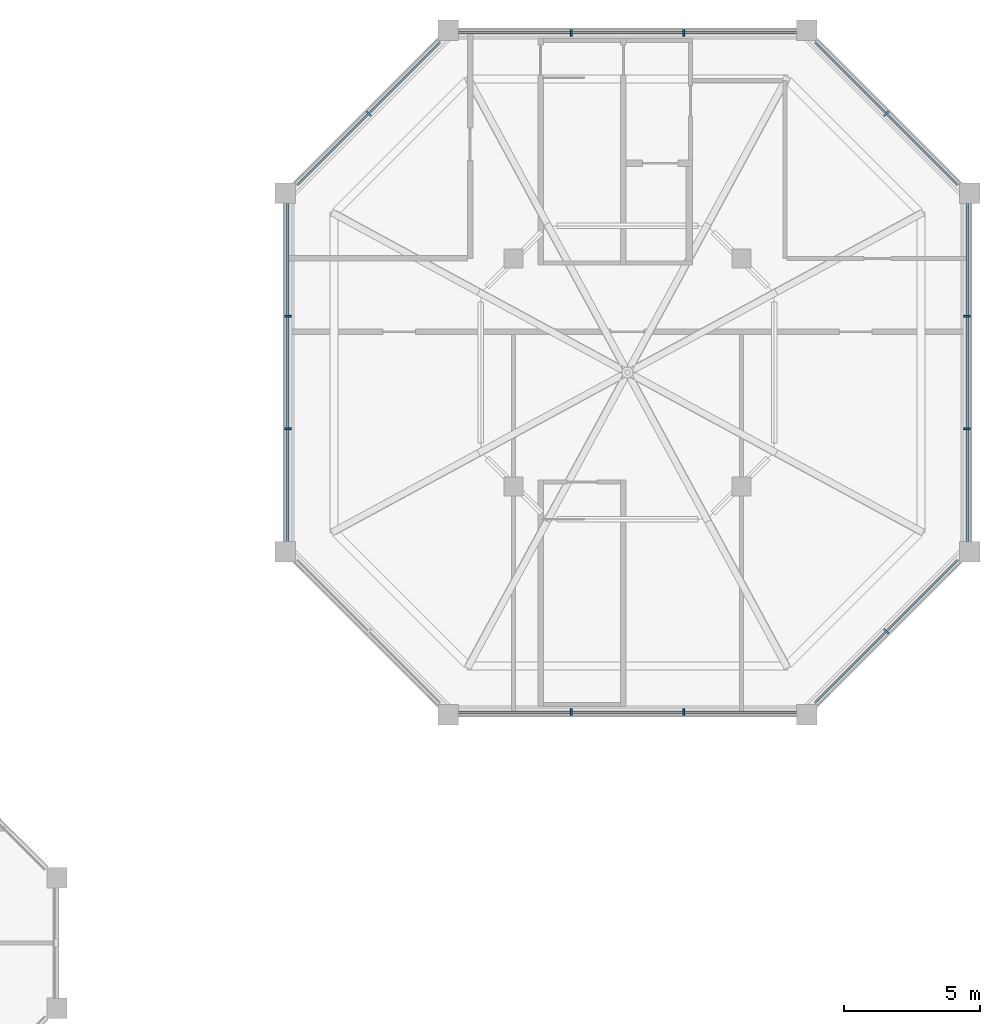
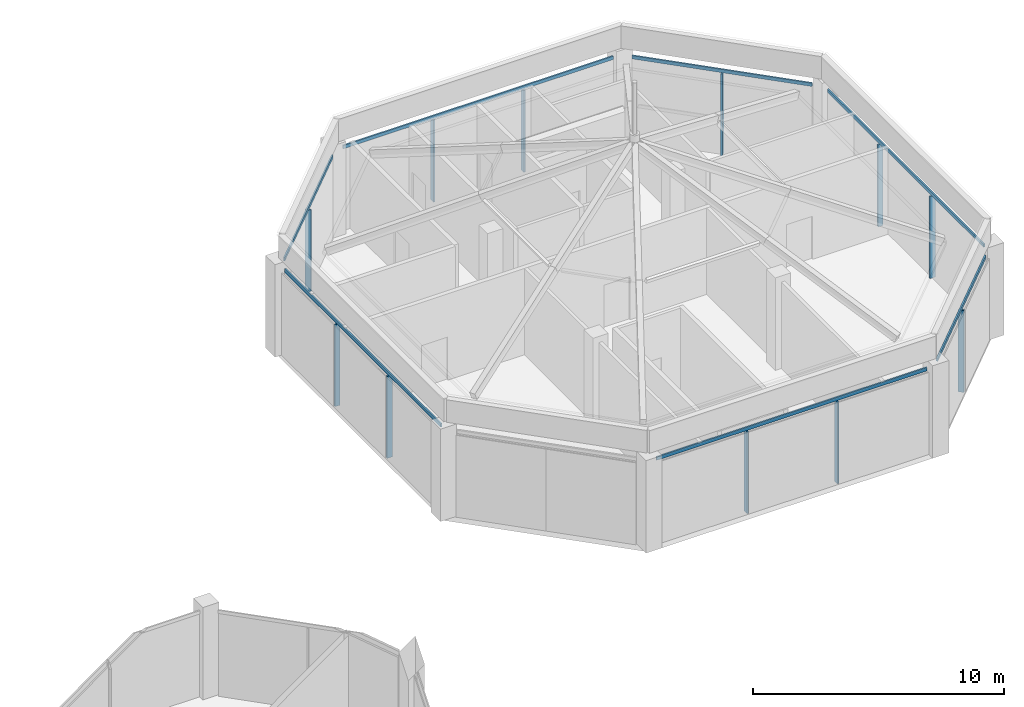
# One storey, part 3 of 9: 18 members, 7 elements without a shape of their own.
"""IFC4 building model written with IfcOpenShell, lengths in metres."""

import ifcopenshell
import ifcopenshell.guid

model = None  # the IFC model being written
_history = None  # IfcOwnerHistory: only IFC2X3 demands one
_inside = {}  # id of a spatial element -> (the spatial element, [elements in it])
_under = {}  # id of a project, library or spatial element -> (it, [spatial elements below it])
_declared = {}  # id of a project -> (the project, [libraries it declares])
_typed = {}  # id of a type object -> (the type object, [elements of that type])
_made_of = {}  # id of a material, layer set ... -> (it, [elements and type objects made of it])


def new_model(schema):
    """Start an empty IFC model of exactly this schema.

    Asked for "IFC4X3", IfcOpenShell would pick the latest addendum, in which some entities
    have other attributes; the version numbers below select the first issue.
    IFC2X3 requires an IfcOwnerHistory on every rooted entity: one is made here for all.
    """
    global model, _history
    if schema == "IFC4X3":
        model = ifcopenshell.file(schema_version=(4, 3, 0, 0))
    else:
        model = ifcopenshell.file(schema=schema)
    _inside.clear()
    _under.clear()
    _declared.clear()
    _typed.clear()
    _made_of.clear()
    _history = None
    if model.schema == "IFC2X3":
        org = make("IfcOrganization", Name="unknown")
        user = make(
            "IfcPersonAndOrganization",
            ThePerson=make("IfcPerson", FamilyName="unknown"),
            TheOrganization=org,
        )
        app = make(
            "IfcApplication",
            ApplicationDeveloper=org,
            Version="unknown",
            ApplicationFullName="unknown",
            ApplicationIdentifier="unknown",
        )
        _history = make(
            "IfcOwnerHistory",
            OwningUser=user,
            OwningApplication=app,
            ChangeAction="ADDED",
            CreationDate=0,
        )
    return model


def make(cls, **values):
    """One entity of the class cls with the attributes given. An attribute that is None is left unset."""
    return model.create_entity(
        cls, **{name: value for name, value in values.items() if value is not None}
    )


def rooted(cls, **values):
    """An entity with a GlobalId (a new one), such as an element, a storey or a relation."""
    return make(cls, GlobalId=ifcopenshell.guid.new(), OwnerHistory=_history, **values)


def si_unit(unit_type, name, prefix=None):
    """IfcSIUnit, for example si_unit("LENGTHUNIT", "METRE", prefix="MILLI")."""
    return make("IfcSIUnit", UnitType=unit_type, Prefix=prefix, Name=name)


def assignment(units):
    """IfcUnitAssignment: the units of a project."""
    return None if units is None else make("IfcUnitAssignment", Units=units)


def point(xyz):
    """IfcCartesianPoint."""
    return None if xyz is None else make("IfcCartesianPoint", Coordinates=xyz)


def direction(xyz):
    """IfcDirection."""
    return None if xyz is None else make("IfcDirection", DirectionRatios=xyz)


def frame(location, z_axis=None, x_axis=None):
    """IfcAxis2Placement3D, a coordinate frame: its origin and axes. An axis left out is left unset."""
    return make(
        "IfcAxis2Placement3D",
        Location=point(location),
        Axis=direction(z_axis),
        RefDirection=direction(x_axis),
    )


def frame_2d(location, x_axis=None):
    """IfcAxis2Placement2D, a coordinate frame in the plane: its origin and x axis."""
    return make(
        "IfcAxis2Placement2D", Location=point(location), RefDirection=direction(x_axis)
    )


def origin():
    """The frame at (0, 0, 0) with its axes left unset."""
    return frame((0.0, 0.0, 0.0))


def origin_2d():
    """The frame at (0, 0) in the plane with its x axis left unset."""
    return frame_2d((0.0, 0.0))


def place(relative_to, where):
    """IfcLocalPlacement: puts the frame where relative to a parent placement (None: the world)."""
    return make(
        "IfcLocalPlacement", PlacementRelTo=relative_to, RelativePlacement=where
    )


def context(
    kind, dimensions, precision=None, world=None, true_north=None, identifier=None
):
    """IfcGeometricRepresentationContext, for example the 3D "Model" context."""
    return make(
        "IfcGeometricRepresentationContext",
        ContextIdentifier=identifier,
        ContextType=kind,
        CoordinateSpaceDimension=dimensions,
        Precision=precision,
        WorldCoordinateSystem=world,
        TrueNorth=true_north,
    )


def subcontext(parent, identifier, kind, view, scale=None):
    """IfcGeometricRepresentationSubContext, for example "Body" below "Model"."""
    return make(
        "IfcGeometricRepresentationSubContext",
        ContextIdentifier=identifier,
        ContextType=kind,
        ParentContext=parent,
        TargetScale=scale,
        TargetView=view,
    )


def project(units=None, contexts=None):
    """IfcProject with its units and contexts."""
    return rooted(
        "IfcProject",
        Name="project",
        RepresentationContexts=contexts,
        UnitsInContext=assignment(units),
    )


def spatial(cls, under=None, at=None, **own):
    """A site, building, storey or space (cls), placed at a placement, below another one or the project."""
    s = rooted(cls, ObjectPlacement=at, **own)
    if under is not None:
        _under.setdefault(under.id(), (under, []))[1].append(s)
    return s


def profile(cls, at=None, kind="AREA", **sizes):
    """A parametric profile (cls). Its sizes go by their IFC names, for example OverallWidth=200.0."""
    return make(cls, ProfileType=kind, Position=at, **sizes)


def rectangle(**sizes):
    """IfcRectangleProfileDef."""
    return profile("IfcRectangleProfileDef", **sizes)


def extrude(swept, where, along, depth):
    """IfcExtrudedAreaSolid: the profile swept, set in the frame where, extruded along a direction by depth."""
    return make(
        "IfcExtrudedAreaSolid",
        SweptArea=swept,
        Position=where,
        ExtrudedDirection=direction(along),
        Depth=depth,
    )


def shape(context_of_items, identifier, shape_type, items):
    """IfcShapeRepresentation: the items that make up one representation, for example the "Body"."""
    return make(
        "IfcShapeRepresentation",
        ContextOfItems=context_of_items,
        RepresentationIdentifier=identifier,
        RepresentationType=shape_type,
        Items=items,
    )


def material(Name=None, Category=None):
    """IfcMaterial."""
    return make("IfcMaterial", Name=Name, Category=Category)


def layer(
    of_material, thickness, ventilated=None, Name=None, Category=None, Priority=None
):
    """IfcMaterialLayer: one layer of a wall or slab, of a material (None: an air gap)."""
    return make(
        "IfcMaterialLayer",
        Material=of_material,
        LayerThickness=thickness,
        IsVentilated=ventilated,
        Name=Name,
        Category=Category,
        Priority=Priority,
    )


def layer_set(layers, Name=None):
    """IfcMaterialLayerSet."""
    return make("IfcMaterialLayerSet", MaterialLayers=layers, LayerSetName=Name)


def material_profile(
    of_material, cross_section, Name=None, Category=None, Priority=None
):
    """IfcMaterialProfile: a cross section and its material."""
    return make(
        "IfcMaterialProfile",
        Name=Name,
        Material=of_material,
        Profile=cross_section,
        Priority=Priority,
        Category=Category,
    )


def profile_set(profiles, Name=None, composite=None):
    """IfcMaterialProfileSet."""
    return make(
        "IfcMaterialProfileSet",
        Name=Name,
        MaterialProfiles=profiles,
        CompositeProfile=composite,
    )


def made_of(thing, what):
    """Note that an element or type object is made of a material, layer set ...; save() writes the relation."""
    if what is not None:
        _made_of.setdefault(what.id(), (what, []))[1].append(thing)
    return thing


def type_object(cls, material=None, **own):
    """A type object (cls), such as IfcWallType, which elements share."""
    return made_of(rooted(cls, **own), material)


def element(
    cls,
    number,
    at=None,
    inside=None,
    cuts=None,
    type_object=None,
    material=None,
    context=None,
    identifier="Body",
    shape_type=None,
    held_by="IfcProductDefinitionShape",
    body=None,
    shapes=None,
    **own,
):
    """One element of the class cls, such as IfcWall. Its Tag is "e" and its number.

    at: its placement. inside: the storey or other place that contains it. cuts: it is an
    opening in that element (IfcRelVoidsElement). A single representation is given by context,
    identifier, shape_type and body (its items); several are given by shapes. held_by: the class
    of the entity that holds the representations. save() writes the other relations.
    """
    e = rooted(cls, Tag="e%d" % number, ObjectPlacement=at, **own)
    if body is not None:
        shapes = [shape(context, identifier, shape_type, body)]
    if shapes is not None:
        e.Representation = make(held_by, Representations=shapes)
    if inside is not None:
        _inside.setdefault(inside.id(), (inside, []))[1].append(e)
    if cuts is not None:
        rooted(
            "IfcRelVoidsElement", RelatingBuildingElement=cuts, RelatedOpeningElement=e
        )
    if type_object is not None:
        _typed.setdefault(type_object.id(), (type_object, []))[1].append(e)
    return made_of(e, material)


def aggregate(whole, parts):
    """IfcRelAggregates: a whole, such as a stair, and the parts it consists of."""
    return rooted("IfcRelAggregates", RelatingObject=whole, RelatedObjects=parts)


def save(model, path):
    """Write the relations noted so far, then the file.

    IfcRelAggregates (storeys below a building ...), IfcRelContainedInSpatialStructure (elements
    in a storey), IfcRelDefinesByType, IfcRelAssociatesMaterial and IfcRelDeclares: one each for
    every whole, place, type object, material and project.
    """
    for whole, parts in _under.values():
        aggregate(whole, parts)
    for where, things in _inside.values():
        rooted(
            "IfcRelContainedInSpatialStructure",
            RelatedElements=things,
            RelatingStructure=where,
        )
    for kind, things in _typed.values():
        rooted("IfcRelDefinesByType", RelatedObjects=things, RelatingType=kind)
    for what, things in _made_of.values():
        rooted("IfcRelAssociatesMaterial", RelatedObjects=things, RelatingMaterial=what)
    for by, libraries in _declared.values():
        rooted("IfcRelDeclares", RelatingContext=by, RelatedDefinitions=libraries)
    model.write(path)


model = new_model("IFC4")

# Units and contexts
model_context = context("Model", 3, precision=1e-05, world=origin(), true_north=direction((0.0, 1.0)))
body_context = subcontext(model_context, "Body", "Model", "MODEL_VIEW")
ifc_project = project(units=[si_unit("LENGTHUNIT", "METRE"), si_unit("AREAUNIT", "SQUARE_METRE"), si_unit("VOLUMEUNIT", "CUBIC_METRE"), si_unit("PLANEANGLEUNIT", "RADIAN"), si_unit("MASSUNIT", "GRAM", prefix="KILO")], contexts=[model_context])

# Site, building, storey
site_placement = place(None, origin())
site = spatial("IfcSite", under=ifc_project, at=site_placement, CompositionType="ELEMENT")
building_placement = place(site_placement, origin())
building = spatial("IfcBuilding", under=site, at=building_placement, Name="Kawkab Arch Medical Tower", CompositionType="ELEMENT")
storey_placement = place(building_placement, frame((0.0, 0.0, 350.199951171875)))
storey = spatial("IfcBuildingStorey", under=building, at=storey_placement, Name="L81", CompositionType="ELEMENT", Elevation=350.199951171875)

# Curtain wall, member
ifc_material_1 = material(Name="Bronze anodised aluminium curtain wall frame", Category="aluminium")
ifc_layer = layer(ifc_material_1, 0.159912109375)
ifc_layer_set = layer_set([ifc_layer], Name="Bronze anodised aluminium curtain wall frame")
curtain_wall_type = type_object("IfcCurtainWallType", Name="CW6 helipad lobby and crown glazing", PredefinedType="NOTDEFINED", material=ifc_layer_set)
placement = place(storey_placement, origin())
curtain_wall_1 = element("IfcCurtainWall", 1, at=placement, inside=storey, type_object=curtain_wall_type, Name="CW6 Helipad lobby and crown glazing R01", PredefinedType="NOTDEFINED")
ifc_material_2 = material(Name="Bronze anodised aluminium curtain wall frame", Category="aluminium")
ifc_material_profile_1 = material_profile(ifc_material_2, rectangle(XDim=0.239990234375, YDim=0.070068359375, at=origin_2d()), Name="AL 70x240")
ifc_profile_set_1 = profile_set([ifc_material_profile_1], Name="Bronze anodised aluminium curtain wall frame")
member_type_1 = type_object("IfcMemberType", Name="CW6 mullion 70 x 240", PredefinedType="MULLION", material=ifc_profile_set_1)
member_1_placement = place(storey_placement, frame((55.729248046875, -3.07080078125, 0.0), z_axis=(0.0, 0.0, 1.0), x_axis=(-0.707106781187, -0.707106781187, 0.0)))
member_1 = element("IfcMember", 2, at=member_1_placement, type_object=member_type_1, Name="CW6 mullion 1.1", PredefinedType="MULLION", context=body_context, shape_type="SweptSolid", body=[
    extrude(rectangle(XDim=0.239990234375, YDim=0.070068359375, at=origin_2d()), origin(), (0.0, 0.0, 1.0), 3.989990234375),
])

# Curtain wall, members
curtain_wall_2 = element("IfcCurtainWall", 3, at=placement, inside=storey, type_object=curtain_wall_type, Name="CW6 Helipad lobby and crown glazing R02", PredefinedType="NOTDEFINED")
member_2_placement = place(storey_placement, frame((48.27490234375, -0.10009765625, 0.0), z_axis=(0.0, 0.0, 1.0), x_axis=(0.0, -1.0, 0.0)))
member_2 = element("IfcMember", 4, at=member_2_placement, type_object=member_type_1, Name="CW6 mullion 1.1", PredefinedType="MULLION", context=body_context, shape_type="SweptSolid", body=[
    extrude(rectangle(XDim=0.239990234375, YDim=0.070068359375, at=origin_2d()), origin(), (0.0, 0.0, 1.0), 3.989990234375),
])
member_3_placement = place(storey_placement, frame((44.125, -0.10009765625, 0.0), z_axis=(0.0, 0.0, 1.0), x_axis=(0.0, -1.0, 0.0)))
member_3 = element("IfcMember", 5, at=member_3_placement, type_object=member_type_1, Name="CW6 mullion 1.2", PredefinedType="MULLION", context=body_context, shape_type="SweptSolid", body=[
    extrude(rectangle(XDim=0.239990234375, YDim=0.070068359375, at=origin_2d()), origin(), (0.0, 0.0, 1.0), 3.989990234375),
])

# Curtain wall, member
curtain_wall_3 = element("IfcCurtainWall", 6, at=placement, inside=storey, type_object=curtain_wall_type, Name="CW6 Helipad lobby and crown glazing R03", PredefinedType="NOTDEFINED")
member_4_placement = place(storey_placement, frame((36.670654296875, -3.07080078125, 0.0), z_axis=(0.0, 0.0, 1.0), x_axis=(0.707106781187, -0.707106781187, 0.0)))
member_4 = element("IfcMember", 7, at=member_4_placement, type_object=member_type_1, Name="CW6 mullion 1.1", PredefinedType="MULLION", context=body_context, shape_type="SweptSolid", body=[
    extrude(rectangle(XDim=0.239990234375, YDim=0.070068359375, at=origin_2d()), origin(), (0.0, 0.0, 1.0), 3.989990234375),
])

# Curtain wall, members
curtain_wall_4 = element("IfcCurtainWall", 8, at=placement, inside=storey, type_object=curtain_wall_type, Name="CW6 Helipad lobby and crown glazing R04", PredefinedType="NOTDEFINED")
member_5_placement = place(storey_placement, frame((33.699951171875, -10.52490234375, 0.0), z_axis=(0.0, 0.0, 1.0), x_axis=(1.0, 0.0, 0.0)))
member_5 = element("IfcMember", 9, at=member_5_placement, type_object=member_type_1, Name="CW6 mullion 1.1", PredefinedType="MULLION", context=body_context, shape_type="SweptSolid", body=[
    extrude(rectangle(XDim=0.239990234375, YDim=0.070068359375, at=origin_2d()), origin(), (0.0, 0.0, 1.0), 3.989990234375),
])
member_6_placement = place(storey_placement, frame((33.699951171875, -14.675048828125, 0.0), z_axis=(0.0, 0.0, 1.0), x_axis=(1.0, 0.0, 0.0)))
member_6 = element("IfcMember", 10, at=member_6_placement, type_object=member_type_1, Name="CW6 mullion 1.2", PredefinedType="MULLION", context=body_context, shape_type="SweptSolid", body=[
    extrude(rectangle(XDim=0.239990234375, YDim=0.070068359375, at=origin_2d()), origin(), (0.0, 0.0, 1.0), 3.989990234375),
])

curtain_wall_5 = element("IfcCurtainWall", 11, at=placement, inside=storey, type_object=curtain_wall_type, Name="CW6 Helipad lobby and crown glazing R06", PredefinedType="NOTDEFINED")
member_7_placement = place(storey_placement, frame((44.125, -25.10009765625, 0.0), z_axis=(0.0, 0.0, 1.0), x_axis=(0.0, 1.0, 0.0)))
member_7 = element("IfcMember", 12, at=member_7_placement, type_object=member_type_1, Name="CW6 mullion 1.1", PredefinedType="MULLION", context=body_context, shape_type="SweptSolid", body=[
    extrude(rectangle(XDim=0.239990234375, YDim=0.070068359375, at=origin_2d()), origin(), (0.0, 0.0, 1.0), 3.989990234375),
])
member_8_placement = place(storey_placement, frame((48.27490234375, -25.10009765625, 0.0), z_axis=(0.0, 0.0, 1.0), x_axis=(0.0, 1.0, 0.0)))
member_8 = element("IfcMember", 13, at=member_8_placement, type_object=member_type_1, Name="CW6 mullion 1.2", PredefinedType="MULLION", context=body_context, shape_type="SweptSolid", body=[
    extrude(rectangle(XDim=0.239990234375, YDim=0.070068359375, at=origin_2d()), origin(), (0.0, 0.0, 1.0), 3.989990234375),
])

# Curtain wall, member
curtain_wall_6 = element("IfcCurtainWall", 14, at=placement, inside=storey, type_object=curtain_wall_type, Name="CW6 Helipad lobby and crown glazing R07", PredefinedType="NOTDEFINED")
member_9_placement = place(storey_placement, frame((55.729248046875, -22.12939453125, 0.0), z_axis=(0.0, 0.0, 1.0), x_axis=(-0.707106781187, 0.707106781187, 0.0)))
member_9 = element("IfcMember", 15, at=member_9_placement, type_object=member_type_1, Name="CW6 mullion 1.1", PredefinedType="MULLION", context=body_context, shape_type="SweptSolid", body=[
    extrude(rectangle(XDim=0.239990234375, YDim=0.070068359375, at=origin_2d()), origin(), (0.0, 0.0, 1.0), 3.989990234375),
])

# Curtain wall, members
curtain_wall_7 = element("IfcCurtainWall", 16, at=placement, inside=storey, type_object=curtain_wall_type, Name="CW6 Helipad lobby and crown glazing R08", PredefinedType="NOTDEFINED")
member_10_placement = place(storey_placement, frame((58.699951171875, -14.675048828125, 0.0), z_axis=(0.0, 0.0, 1.0), x_axis=(-1.0, 0.0, 0.0)))
member_10 = element("IfcMember", 17, at=member_10_placement, type_object=member_type_1, Name="CW6 mullion 1.1", PredefinedType="MULLION", context=body_context, shape_type="SweptSolid", body=[
    extrude(rectangle(XDim=0.239990234375, YDim=0.070068359375, at=origin_2d()), origin(), (0.0, 0.0, 1.0), 3.989990234375),
])
member_11_placement = place(storey_placement, frame((58.699951171875, -10.52490234375, 0.0), z_axis=(0.0, 0.0, 1.0), x_axis=(-1.0, 0.0, 0.0)))
member_11 = element("IfcMember", 18, at=member_11_placement, type_object=member_type_1, Name="CW6 mullion 1.2", PredefinedType="MULLION", context=body_context, shape_type="SweptSolid", body=[
    extrude(rectangle(XDim=0.239990234375, YDim=0.070068359375, at=origin_2d()), origin(), (0.0, 0.0, 1.0), 3.989990234375),
])

# Member
ifc_material_3 = material(Name="Bronze anodised aluminium curtain wall frame", Category="aluminium")
ifc_material_profile_2 = material_profile(ifc_material_3, rectangle(XDim=0.070068359375, YDim=0.159912109375, at=origin_2d()), Name="AL 70x160")
ifc_profile_set_2 = profile_set([ifc_material_profile_2], Name="Bronze anodised aluminium curtain wall frame")
member_type_2 = type_object("IfcMemberType", Name="CW6 transom 160 x 70", PredefinedType="USERDEFINED", material=ifc_profile_set_2)
member_12_placement = place(storey_placement, frame((58.354248046875, -5.69580078125, 4.070068359375), z_axis=(-0.707090340093, 0.707123221898, 0.0), x_axis=(-0.707123221898, -0.707090340093, 0.0)))
member_12 = element("IfcMember", 19, at=member_12_placement, type_object=member_type_2, Name="CW6 transom 1", ObjectType="TRANSOM", PredefinedType="USERDEFINED", context=body_context, shape_type="SweptSolid", body=[
    extrude(rectangle(XDim=0.070068359375, YDim=0.159912109375, at=origin_2d()), origin(), (0.0, 0.0, 1.0), 7.4248046875),
])

aggregate(curtain_wall_1, [member_12, member_1])

member_13_placement = place(storey_placement, frame((52.425048828125, -0.10009765625, 4.070068359375), z_axis=(-1.0, 0.0, 0.0), x_axis=(0.0, -1.0, 0.0)))
member_13 = element("IfcMember", 20, at=member_13_placement, type_object=member_type_2, Name="CW6 transom 1", ObjectType="TRANSOM", PredefinedType="USERDEFINED", context=body_context, shape_type="SweptSolid", body=[
    extrude(rectangle(XDim=0.070068359375, YDim=0.159912109375, at=origin_2d()), origin(), (0.0, 0.0, 1.0), 12.449951171875),
])

aggregate(curtain_wall_2, [member_13, member_2, member_3])

member_14_placement = place(storey_placement, frame((39.295654296875, -0.44580078125, 4.070068359375), z_axis=(-0.707106781187, -0.707106781187, 0.0), x_axis=(0.707106781187, -0.707106781187, 0.0)))
member_14 = element("IfcMember", 21, at=member_14_placement, type_object=member_type_2, Name="CW6 transom 1", ObjectType="TRANSOM", PredefinedType="USERDEFINED", context=body_context, shape_type="SweptSolid", body=[
    extrude(rectangle(XDim=0.070068359375, YDim=0.159912109375, at=origin_2d()), origin(), (0.0, 0.0, 1.0), 7.424560546875),
])

aggregate(curtain_wall_3, [member_14, member_4])

member_15_placement = place(storey_placement, frame((33.699951171875, -6.375, 4.070068359375), z_axis=(0.0, -1.0, 0.0), x_axis=(1.0, 0.0, 0.0)))
member_15 = element("IfcMember", 22, at=member_15_placement, type_object=member_type_2, Name="CW6 transom 1", ObjectType="TRANSOM", PredefinedType="USERDEFINED", context=body_context, shape_type="SweptSolid", body=[
    extrude(rectangle(XDim=0.070068359375, YDim=0.159912109375, at=origin_2d()), origin(), (0.0, 0.0, 1.0), 12.449951171875),
])

aggregate(curtain_wall_4, [member_15, member_5, member_6])

member_16_placement = place(storey_placement, frame((39.97509765625, -25.10009765625, 4.070068359375), z_axis=(1.0, 0.0, 0.0), x_axis=(0.0, 1.0, 0.0)))
member_16 = element("IfcMember", 23, at=member_16_placement, type_object=member_type_2, Name="CW6 transom 1", ObjectType="TRANSOM", PredefinedType="USERDEFINED", context=body_context, shape_type="SweptSolid", body=[
    extrude(rectangle(XDim=0.070068359375, YDim=0.159912109375, at=origin_2d()), origin(), (0.0, 0.0, 1.0), 12.449951171875),
])

aggregate(curtain_wall_5, [member_16, member_7, member_8])

member_17_placement = place(storey_placement, frame((53.104248046875, -24.75439453125, 4.070068359375), z_axis=(0.707090340093, 0.707123221898, 0.0), x_axis=(-0.707123221898, 0.707090340093, 0.0)))
member_17 = element("IfcMember", 24, at=member_17_placement, type_object=member_type_2, Name="CW6 transom 1", ObjectType="TRANSOM", PredefinedType="USERDEFINED", context=body_context, shape_type="SweptSolid", body=[
    extrude(rectangle(XDim=0.070068359375, YDim=0.159912109375, at=origin_2d()), origin(), (0.0, 0.0, 1.0), 7.4248046875),
])

aggregate(curtain_wall_6, [member_17, member_9])

member_18_placement = place(storey_placement, frame((58.699951171875, -18.824951171875, 4.070068359375), z_axis=(0.0, 1.0, 0.0), x_axis=(-1.0, 0.0, 0.0)))
member_18 = element("IfcMember", 25, at=member_18_placement, type_object=member_type_2, Name="CW6 transom 1", ObjectType="TRANSOM", PredefinedType="USERDEFINED", context=body_context, shape_type="SweptSolid", body=[
    extrude(rectangle(XDim=0.070068359375, YDim=0.159912109375, at=origin_2d()), origin(), (0.0, 0.0, 1.0), 12.449951171875),
])

aggregate(curtain_wall_7, [member_18, member_10, member_11])

save(model, "model.ifc")
